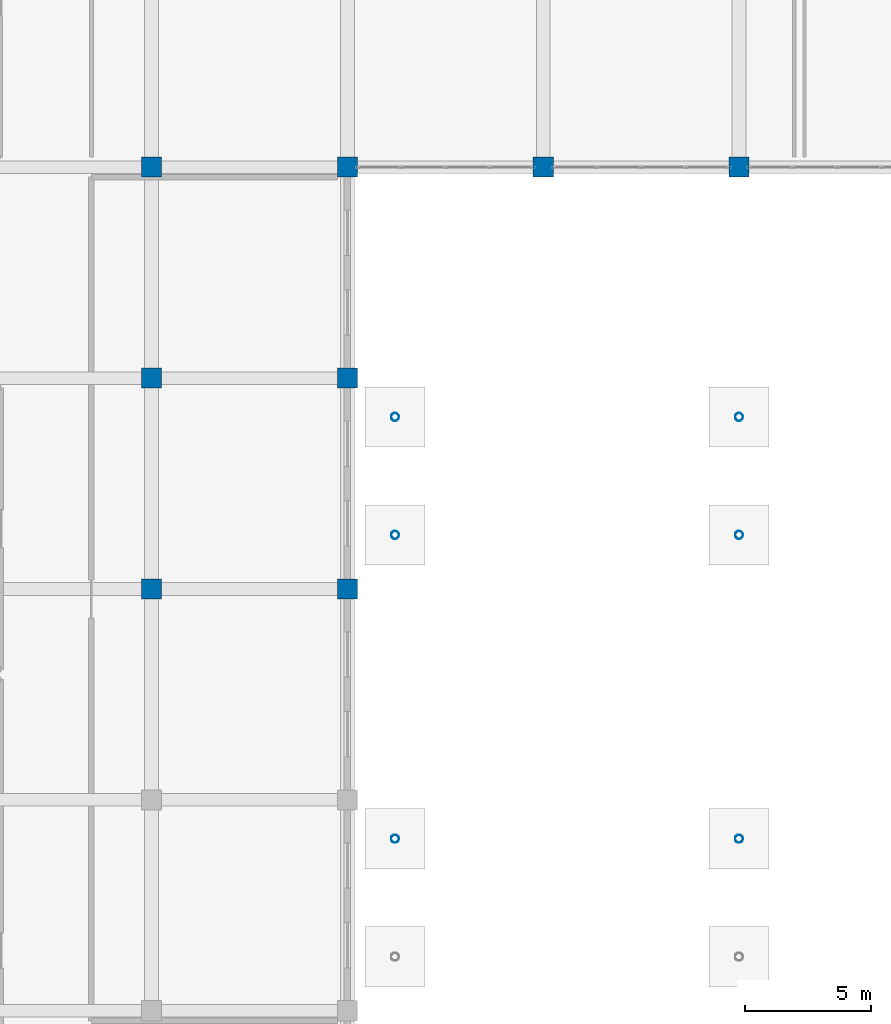
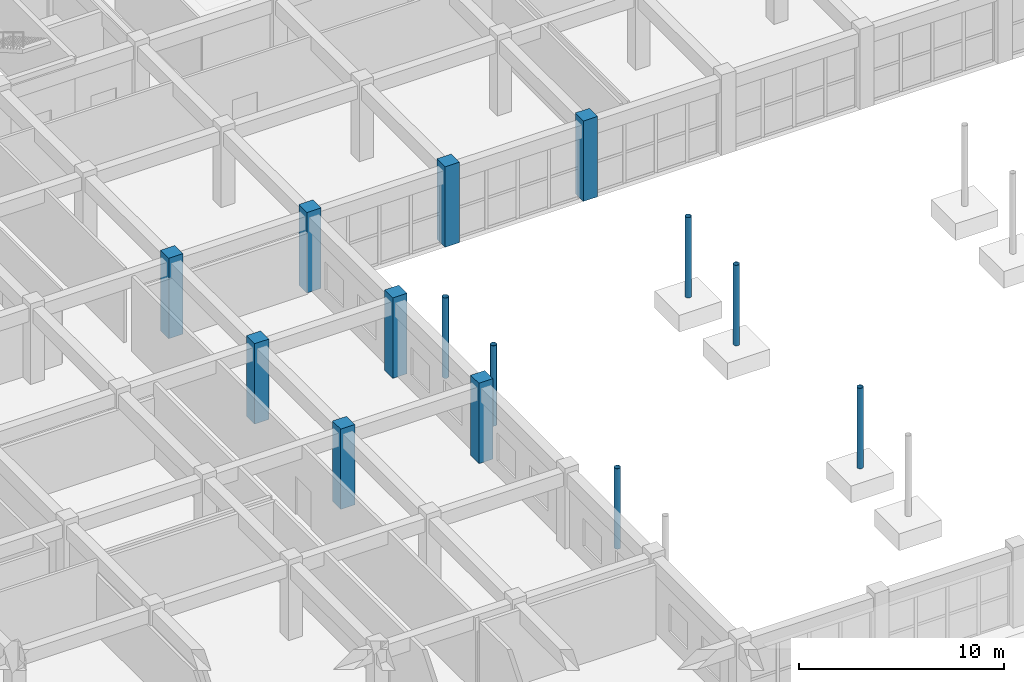
# One storey, part 6 of 139: 14 columns.
"""IFC4 building model written with IfcOpenShell, lengths in metres."""

from ifc_helpers import new_model, si_unit, direction, frame, origin, origin_2d, place, context, subcontext, project, spatial, rectangle, hollow_circle, extrude, material, material_profile, profile_set, type_object, element, save


model = new_model("IFC4")

# Units and contexts
model_context = context("Model", 3, precision=1e-05, world=origin(), true_north=direction((0.0, 1.0)))
body_context = subcontext(model_context, "Body", "Model", "MODEL_VIEW")
ifc_project = project(units=[si_unit("LENGTHUNIT", "METRE"), si_unit("AREAUNIT", "SQUARE_METRE"), si_unit("VOLUMEUNIT", "CUBIC_METRE"), si_unit("PLANEANGLEUNIT", "RADIAN"), si_unit("MASSUNIT", "GRAM", prefix="KILO")], contexts=[model_context])

# Site, building, storey
site_placement = place(None, origin())
site = spatial("IfcSite", under=ifc_project, at=site_placement, CompositionType="ELEMENT")
building_placement = place(site_placement, origin())
building = spatial("IfcBuilding", under=site, at=building_placement, Name="Zizhar Promenade General Hospital", CompositionType="ELEMENT")
storey_placement = place(building_placement, origin())
storey = spatial("IfcBuildingStorey", under=building, at=storey_placement, Name="L00", CompositionType="ELEMENT", Elevation=0.0)

# Columns
ifc_material_1 = material(Name="Concrete C40/50", Category="concrete")
ifc_material_profile_1 = material_profile(ifc_material_1, rectangle(XDim=0.800048828125, YDim=0.800048828125, at=origin_2d()))
ifc_profile_set_1 = profile_set([ifc_material_profile_1], Name="Concrete C40/50")
column_type_1 = type_object("IfcColumnType", Name="COL-RC-800", PredefinedType="COLUMN", material=ifc_profile_set_1)
for number, where, z_axis, x_axis, name in (
    (1, (62.39990234375, 75.60009765625, 0.0), (0.0, 0.0, 1.0), (1.0, 0.0, 0.0), "Column 9-K (L00)"),
    (2, (62.39990234375, 84.0, 0.0), (0.0, 0.0, 1.0), (1.0, 0.0, 0.0), "Column 9-L (L00)"),
    (3, (62.39990234375, 92.39990234375, 0.0), (0.0, 0.0, 1.0), (1.0, 0.0, 0.0), "Column 9-M (L00)"),
    (4, (70.199951171875, 75.60009765625, 0.0), (0.0, 0.0, 1.0), (1.0, 0.0, 0.0), "Column 10-K (L00)"),
    (5, (70.199951171875, 84.0, 0.0), (0.0, 0.0, 1.0), (1.0, 0.0, 0.0), "Column 10-L (L00)"),
    (6, (70.199951171875, 92.39990234375, 0.0), (0.0, 0.0, 1.0), (1.0, 0.0, 0.0), "Column 10-M (L00)"),
    (7, (78.0, 92.39990234375, 0.0), (0.0, 0.0, 1.0), (1.0, 0.0, 0.0), "Column 11-M (L00)"),
    (8, (85.800048828125, 92.39990234375, 0.0), (0.0, 0.0, 1.0), (1.0, 0.0, 0.0), "Column 12-M (L00)"),
):
    element("IfcColumn", number, at=place(storey_placement, frame(where, z_axis=z_axis, x_axis=x_axis)), inside=storey, type_object=column_type_1, Name=name, PredefinedType="COLUMN", context=body_context, shape_type="SweptSolid", body=[
        extrude(rectangle(XDim=0.800048828125, YDim=0.800048828125, at=origin_2d()), origin(), (0.0, 0.0, 1.0), 4.800048828125),
    ])
ifc_material_2 = material(Name="Steel S355", Category="steel")
ifc_material_profile_2 = material_profile(ifc_material_2, hollow_circle(Radius=0.161865234375, WallThickness=0.012451171875, at=origin_2d()))
ifc_profile_set_2 = profile_set([ifc_material_profile_2], Name="Steel S355")
column_type_2 = type_object("IfcColumnType", Name="COL-STL-CHS324", PredefinedType="COLUMN", material=ifc_profile_set_2)
for number, where, z_axis, x_axis, name in (
    (9, (85.800048828125, 65.64990234375, 0.0), (0.0, 0.0, 1.0), (1.0, 0.0, 0.0), "SB-1 Courtyard Pier 1N (L00)"),
    (10, (72.10009765625, 65.64990234375, 0.0), (0.0, 0.0, 1.0), (1.0, 0.0, 0.0), "SB-1 Abutment Pier 1N (L00)"),
    (11, (85.800048828125, 77.75, 0.0), (0.0, 0.0, 1.0), (1.0, 0.0, 0.0), "SB-2 Courtyard Pier 1S (L00)"),
    (12, (85.800048828125, 82.449951171875, 0.0), (0.0, 0.0, 1.0), (1.0, 0.0, 0.0), "SB-2 Courtyard Pier 1N (L00)"),
    (13, (72.10009765625, 77.75, 0.0), (0.0, 0.0, 1.0), (1.0, 0.0, 0.0), "SB-2 Abutment Pier 1S (L00)"),
    (14, (72.10009765625, 82.449951171875, 0.0), (0.0, 0.0, 1.0), (1.0, 0.0, 0.0), "SB-2 Abutment Pier 1N (L00)"),
):
    element("IfcColumn", number, at=place(storey_placement, frame(where, z_axis=z_axis, x_axis=x_axis)), inside=storey, type_object=column_type_2, Name=name, PredefinedType="COLUMN", context=body_context, shape_type="SweptSolid", body=[
        extrude(hollow_circle(Radius=0.161865234375, WallThickness=0.012451171875, at=origin_2d()), origin(), (0.0, 0.0, 1.0), 4.800048828125),
    ])

save(model, "model.ifc")
